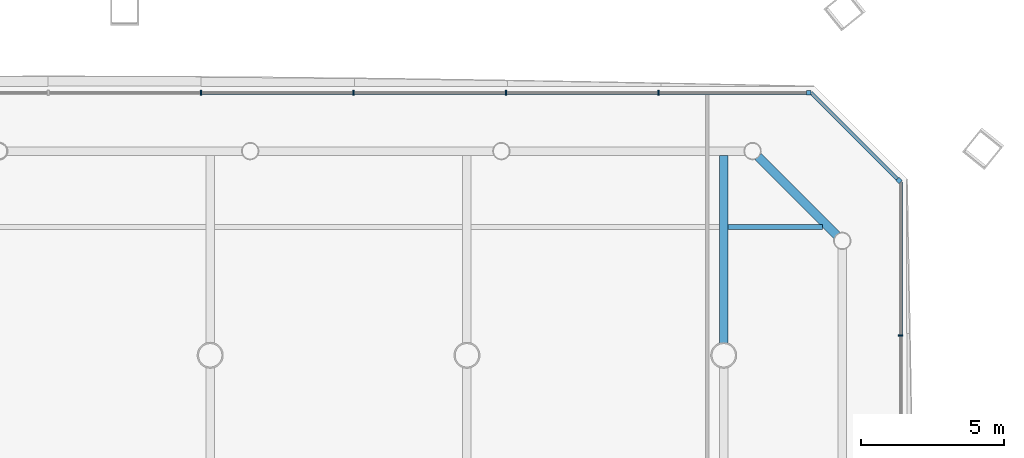
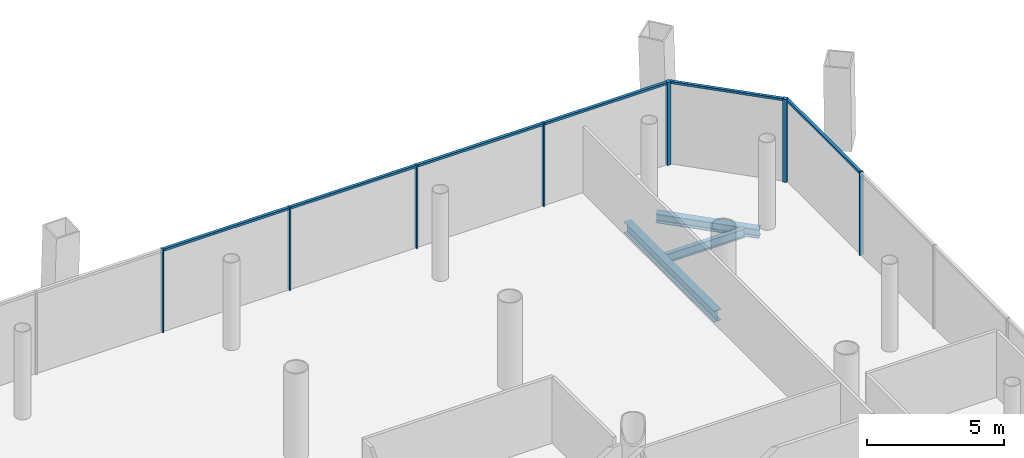
# One storey, part 12 of 22: 13 members, 3 beams, 3 elements without a shape of their own.
"""IFC4 building model written with IfcOpenShell, lengths in metres."""

from ifc_helpers import new_model, si_unit, direction, frame, origin, origin_2d, place, context, subcontext, project, spatial, rectangle, i_section, extrude, material, material_profile, profile_set, type_object, element, aggregate, save


model = new_model("IFC4")

# Units and contexts
model_context = context("Model", 3, precision=1e-05, world=origin(), true_north=direction((0.0, 1.0)))
body_context = subcontext(model_context, "Body", "Model", "MODEL_VIEW")
ifc_project = project(units=[si_unit("LENGTHUNIT", "METRE"), si_unit("AREAUNIT", "SQUARE_METRE"), si_unit("VOLUMEUNIT", "CUBIC_METRE"), si_unit("PLANEANGLEUNIT", "RADIAN"), si_unit("MASSUNIT", "GRAM", prefix="KILO")], contexts=[model_context])

# Site, building, storey
site_placement = place(None, origin())
site = spatial("IfcSite", under=ifc_project, at=site_placement, CompositionType="ELEMENT")
building_placement = place(site_placement, origin())
building = spatial("IfcBuilding", under=site, at=building_placement, Name="Tskaro Facet Tower", CompositionType="ELEMENT")
storey_placement = place(building_placement, frame((0.0, 0.0, 26.39990234375)))
storey = spatial("IfcBuildingStorey", under=building, at=storey_placement, Name="L05", CompositionType="ELEMENT", Elevation=26.39990234375)

# Curtain wall, member
ifc_material_1 = material(Name="Bronze anodised aluminium 6063-T6", Category="aluminium")
curtain_wall_type = type_object("IfcCurtainWallType", Name="Bronze office curtain wall (FW1)", PredefinedType="NOTDEFINED", material=ifc_material_1)
curtain_wall_1_placement = place(storey_placement, origin())
curtain_wall_1 = element("IfcCurtainWall", 1, at=curtain_wall_1_placement, inside=storey, type_object=curtain_wall_type, Name="FW1 north-east facet L05", PredefinedType="NOTDEFINED")
ifc_material_profile_1 = material_profile(ifc_material_1, rectangle(XDim=0.159912109375, YDim=0.159912109375, at=origin_2d()), Name="Corner post 160x160")
ifc_profile_set_1 = profile_set([ifc_material_profile_1], Name="Bronze anodised aluminium 6063-T6")
member_type_1 = type_object("IfcMemberType", Name="FW1 bronze corner post 160x160", PredefinedType="MULLION", material=ifc_profile_set_1)
member_1_placement = place(storey_placement, frame((24.1455078125, 24.12255859375, 0.0), z_axis=(0.0, 0.0, 1.0), x_axis=(-0.707106781187, 0.707106781187, 0.0)))
member_1 = element("IfcMember", 2, at=member_1_placement, type_object=member_type_1, Name="FW1 north-east corner post", PredefinedType="MULLION", context=body_context, shape_type="SweptSolid", body=[
    extrude(rectangle(XDim=0.159912109375, YDim=0.159912109375, at=origin_2d()), origin(), (0.0, 0.0, 1.0), 3.7001953125),
])

curtain_wall_2_placement = place(storey_placement, origin())
curtain_wall_2 = element("IfcCurtainWall", 3, at=curtain_wall_2_placement, inside=storey, type_object=curtain_wall_type, Name="FW1 north facet L05", PredefinedType="NOTDEFINED")
member_2_placement = place(storey_placement, frame((20.986083984375, 27.201904296875, 0.0), z_axis=(0.0, 0.0, 1.0), x_axis=(-1.0, 0.0, 0.0)))
member_2 = element("IfcMember", 4, at=member_2_placement, type_object=member_type_1, Name="FW1 north corner post", PredefinedType="MULLION", context=body_context, shape_type="SweptSolid", body=[
    extrude(rectangle(XDim=0.159912109375, YDim=0.159912109375, at=origin_2d()), origin(), (0.0, 0.0, 1.0), 3.7001953125),
])

curtain_wall_3_placement = place(storey_placement, origin())
curtain_wall_3 = element("IfcCurtainWall", 5, at=curtain_wall_3_placement, inside=storey, type_object=curtain_wall_type, Name="FW1 east facet L05", PredefinedType="NOTDEFINED")
ifc_material_profile_2 = material_profile(ifc_material_1, rectangle(XDim=0.06005859375, YDim=0.159912109375, at=origin_2d()), Name="Mullion 60x160")
ifc_profile_set_2 = profile_set([ifc_material_profile_2], Name="Bronze anodised aluminium 6063-T6")
member_type_2 = type_object("IfcMemberType", Name="FW1 bronze mullion 60x160", PredefinedType="MULLION", material=ifc_profile_set_2)
member_3_placement = place(storey_placement, frame((24.201904296875, 18.69140625, 0.0), z_axis=(0.0, 0.0, 1.0), x_axis=(0.0, 1.0, 0.0)))
member_3 = element("IfcMember", 6, at=member_3_placement, type_object=member_type_2, Name="FW1 east mullion 8", PredefinedType="MULLION", context=body_context, shape_type="SweptSolid", body=[
    extrude(rectangle(XDim=0.06005859375, YDim=0.159912109375, at=origin_2d()), origin(), (0.0, 0.0, 1.0), 3.7001953125),
])

# Member
member_4_placement = place(storey_placement, frame((15.718017578125, 27.201904296875, 0.0), z_axis=(0.0, 0.0, 1.0), x_axis=(-1.0, 0.0, 0.0)))
member_4 = element("IfcMember", 7, at=member_4_placement, type_object=member_type_2, Name="FW1 north mullion 1", PredefinedType="MULLION", context=body_context, shape_type="SweptSolid", body=[
    extrude(rectangle(XDim=0.06005859375, YDim=0.159912109375, at=origin_2d()), origin(), (0.0, 0.0, 1.0), 3.7001953125),
])

member_5_placement = place(storey_placement, frame((10.3701171875, 27.201904296875, 0.0), z_axis=(0.0, 0.0, 1.0), x_axis=(-1.0, 0.0, 0.0)))
member_5 = element("IfcMember", 8, at=member_5_placement, type_object=member_type_2, Name="FW1 north mullion 2", PredefinedType="MULLION", context=body_context, shape_type="SweptSolid", body=[
    extrude(rectangle(XDim=0.06005859375, YDim=0.159912109375, at=origin_2d()), origin(), (0.0, 0.0, 1.0), 3.7001953125),
])

member_6_placement = place(storey_placement, frame((5.02197265625, 27.201904296875, 0.0), z_axis=(0.0, 0.0, 1.0), x_axis=(-1.0, 0.0, 0.0)))
member_6 = element("IfcMember", 9, at=member_6_placement, type_object=member_type_2, Name="FW1 north mullion 3", PredefinedType="MULLION", context=body_context, shape_type="SweptSolid", body=[
    extrude(rectangle(XDim=0.06005859375, YDim=0.159912109375, at=origin_2d()), origin(), (0.0, 0.0, 1.0), 3.7001953125),
])

member_7_placement = place(storey_placement, frame((-0.325927734375, 27.201904296875, 0.0), z_axis=(0.0, 0.0, 1.0), x_axis=(-1.0, 0.0, 0.0)))
member_7 = element("IfcMember", 10, at=member_7_placement, type_object=member_type_2, Name="FW1 north mullion 4", PredefinedType="MULLION", context=body_context, shape_type="SweptSolid", body=[
    extrude(rectangle(XDim=0.06005859375, YDim=0.159912109375, at=origin_2d()), origin(), (0.0, 0.0, 1.0), 3.7001953125),
])

ifc_material_profile_3 = material_profile(ifc_material_1, rectangle(XDim=0.1201171875, YDim=0.10009765625, at=origin_2d()), Name="Transom 120x100")
ifc_profile_set_3 = profile_set([ifc_material_profile_3], Name="Bronze anodised aluminium 6063-T6")
member_type_3 = type_object("IfcMemberType", Name="FW1 bronze transom 120x100", PredefinedType="USERDEFINED", material=ifc_profile_set_3)
member_8_placement = place(storey_placement, frame((24.201904296875, 18.721435546875, 3.650146484375), z_axis=(0.0, 1.0, 0.0), x_axis=(-1.0, 0.0, 0.0)))
member_8 = element("IfcMember", 11, at=member_8_placement, type_object=member_type_3, Name="FW1 east transom 9.1", ObjectType="TRANSOM", PredefinedType="USERDEFINED", context=body_context, shape_type="SweptSolid", body=[
    extrude(rectangle(XDim=0.1201171875, YDim=0.10009765625, at=origin_2d()), origin(), (0.0, 0.0, 1.0), 5.344482421875),
])

aggregate(curtain_wall_3, [member_3, member_8])

member_9_placement = place(storey_placement, frame((24.0888671875, 24.17919921875, 3.650146484375), z_axis=(-0.707135335582, 0.707078225638, 0.0), x_axis=(-0.707078225638, -0.707135335582, 0.0)))
member_9 = element("IfcMember", 12, at=member_9_placement, type_object=member_type_3, Name="FW1 north-east transom 1.1", ObjectType="TRANSOM", PredefinedType="USERDEFINED", context=body_context, shape_type="SweptSolid", body=[
    extrude(rectangle(XDim=0.1201171875, YDim=0.10009765625, at=origin_2d()), origin(), (0.0, 0.0, 1.0), 4.27490234375),
])

aggregate(curtain_wall_1, [member_1, member_9])

member_10_placement = place(storey_placement, frame((20.906005859375, 27.201904296875, 3.650146484375), z_axis=(-1.0, 0.0, 0.0), x_axis=(0.0, -1.0, 0.0)))
member_10 = element("IfcMember", 13, at=member_10_placement, type_object=member_type_3, Name="FW1 north transom 1.1", ObjectType="TRANSOM", PredefinedType="USERDEFINED", context=body_context, shape_type="SweptSolid", body=[
    extrude(rectangle(XDim=0.1201171875, YDim=0.10009765625, at=origin_2d()), origin(), (0.0, 0.0, 1.0), 5.157958984375),
])

member_11_placement = place(storey_placement, frame((15.68798828125, 27.201904296875, 3.650146484375), z_axis=(-1.0, 0.0, 0.0), x_axis=(0.0, -1.0, 0.0)))
member_11 = element("IfcMember", 14, at=member_11_placement, type_object=member_type_3, Name="FW1 north transom 2.1", ObjectType="TRANSOM", PredefinedType="USERDEFINED", context=body_context, shape_type="SweptSolid", body=[
    extrude(rectangle(XDim=0.1201171875, YDim=0.10009765625, at=origin_2d()), origin(), (0.0, 0.0, 1.0), 5.2880859375),
])

member_12_placement = place(storey_placement, frame((10.340087890625, 27.201904296875, 3.650146484375), z_axis=(-1.0, 0.0, 0.0), x_axis=(0.0, -1.0, 0.0)))
member_12 = element("IfcMember", 15, at=member_12_placement, type_object=member_type_3, Name="FW1 north transom 3.1", ObjectType="TRANSOM", PredefinedType="USERDEFINED", context=body_context, shape_type="SweptSolid", body=[
    extrude(rectangle(XDim=0.1201171875, YDim=0.10009765625, at=origin_2d()), origin(), (0.0, 0.0, 1.0), 5.2880859375),
])

member_13_placement = place(storey_placement, frame((4.991943359375, 27.201904296875, 3.650146484375), z_axis=(-1.0, 0.0, 0.0), x_axis=(0.0, -1.0, 0.0)))
member_13 = element("IfcMember", 16, at=member_13_placement, type_object=member_type_3, Name="FW1 north transom 4.1", ObjectType="TRANSOM", PredefinedType="USERDEFINED", context=body_context, shape_type="SweptSolid", body=[
    extrude(rectangle(XDim=0.1201171875, YDim=0.10009765625, at=origin_2d()), origin(), (0.0, 0.0, 1.0), 5.287841796875),
])

aggregate(curtain_wall_2, [member_2, member_4, member_5, member_6, member_7, member_10, member_11, member_12, member_13])

# Beams
ifc_material_2 = material(Name="Steel S355J2", Category="steel")
ifc_material_profile_4 = material_profile(ifc_material_2, i_section(OverallWidth=0.300048828125, OverallDepth=0.39990234375, WebThickness=0.013427734375, FlangeThickness=0.02392578125, FilletRadius=0.027099609375, at=origin_2d()), Name="HE 400 B")
ifc_profile_set_4 = profile_set([ifc_material_profile_4], Name="Steel S355J2")
beam_type_1 = type_object("IfcBeamType", Name="HE 400 B ring beam", PredefinedType="BEAM", material=ifc_profile_set_4)
beam_1_placement = place(storey_placement, frame((21.962646484375, 22.20654296875, -0.33984375), z_axis=(-0.707106781187, 0.707106781187, 0.0), x_axis=(-0.707106781187, -0.707106781187, 0.0)))
element("IfcBeam", 17, at=beam_1_placement, inside=storey, type_object=beam_type_1, Name="HE 400 B EB13-1", PredefinedType="BEAM", context=body_context, shape_type="SweptSolid", body=[
    extrude(i_section(OverallWidth=0.300048828125, OverallDepth=0.39990234375, WebThickness=0.013427734375, FlangeThickness=0.02392578125, FilletRadius=0.027099609375, at=origin_2d()), origin(), (0.0, 0.0, 1.0), 3.897705078125),
])
ifc_material_profile_5 = material_profile(ifc_material_2, i_section(OverallWidth=0.300048828125, OverallDepth=0.489990234375, WebThickness=0.011962890625, FlangeThickness=0.02294921875, FilletRadius=0.027099609375, at=origin_2d()), Name="HE 500 A")
ifc_profile_set_5 = profile_set([ifc_material_profile_5], Name="Steel S355J2")
beam_type_2 = type_object("IfcBeamType", Name="HE 500 A girder", PredefinedType="BEAM", material=ifc_profile_set_5)
beam_2_placement = place(storey_placement, frame((18.0, 18.42724609375, -0.385009765625), z_axis=(0.0, 1.0, 0.0), x_axis=(-1.0, 0.0, 0.0)))
element("IfcBeam", 18, at=beam_2_placement, inside=storey, type_object=beam_type_2, Name="HE 500 A GB6-6-1", PredefinedType="BEAM", context=body_context, shape_type="SweptSolid", body=[
    extrude(i_section(OverallWidth=0.300048828125, OverallDepth=0.489990234375, WebThickness=0.011962890625, FlangeThickness=0.02294921875, FilletRadius=0.027099609375, at=origin_2d()), origin(), (0.0, 0.0, 1.0), 6.579833984375),
])
ifc_material_profile_6 = material_profile(ifc_material_2, i_section(OverallWidth=0.179931640625, OverallDepth=0.39990234375, WebThickness=0.008544921875, FlangeThickness=0.013427734375, FilletRadius=0.02099609375, at=origin_2d()), Name="IPE 400")
ifc_profile_set_6 = profile_set([ifc_material_profile_6], Name="Steel S355J2")
beam_type_3 = type_object("IfcBeamType", Name="IPE 400 secondary beam", PredefinedType="BEAM", material=ifc_profile_set_6)
beam_3_placement = place(storey_placement, frame((18.14990234375, 22.5, -0.33984375), z_axis=(1.0, 0.0, 0.0), x_axis=(0.0, 1.0, 0.0)))
element("IfcBeam", 19, at=beam_3_placement, inside=storey, type_object=beam_type_3, Name="IPE 400 SB6a-6-1", PredefinedType="BEAM", context=body_context, shape_type="SweptSolid", body=[
    extrude(i_section(OverallWidth=0.179931640625, OverallDepth=0.39990234375, WebThickness=0.008544921875, FlangeThickness=0.013427734375, FilletRadius=0.02099609375, at=origin_2d()), origin(), (0.0, 0.0, 1.0), 3.30712890625),
])

save(model, "model.ifc")
